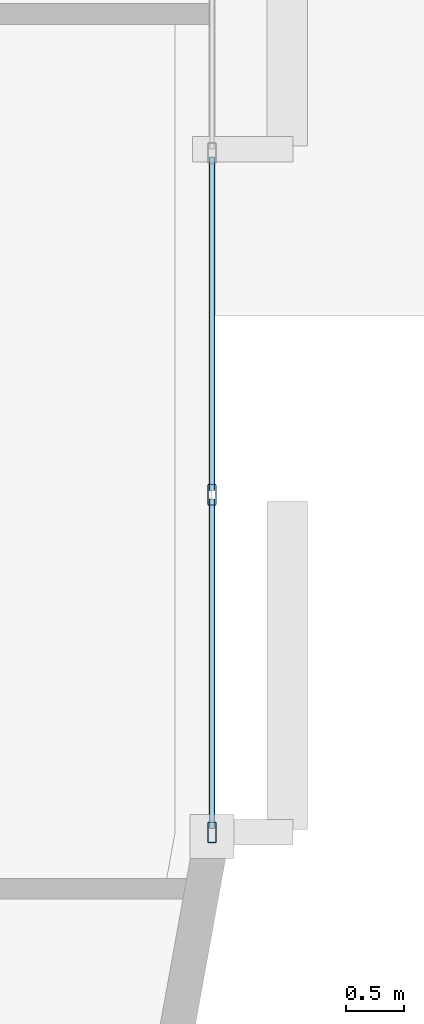
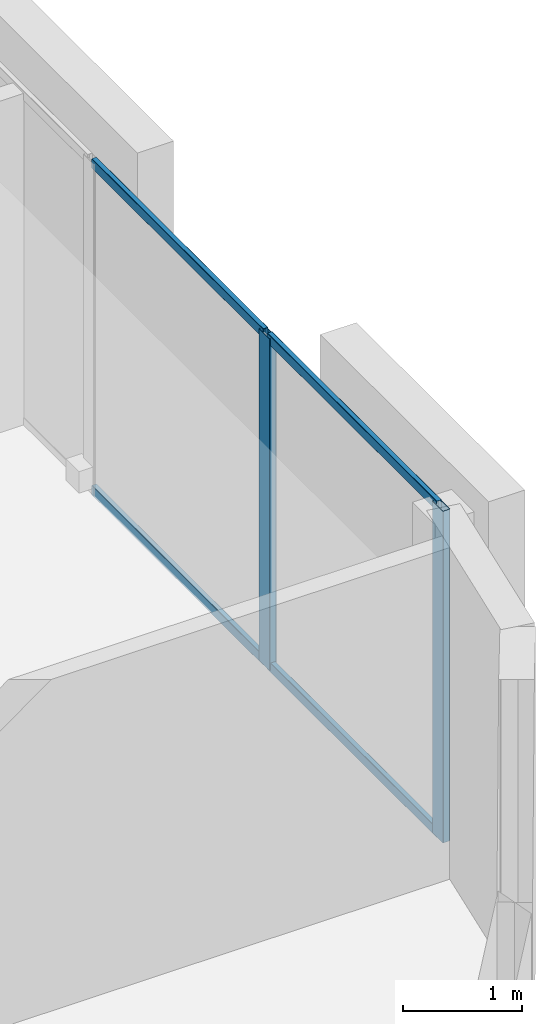
# One storey, part 4 of 13: 6 members, 1 element without a shape of its own.
"""IFC4 building model written with IfcOpenShell, lengths in metres."""

from ifc_helpers import new_model, si_unit, direction, frame, origin, origin_2d, place, context, subcontext, project, spatial, hollow_rectangle, extrude, material, layer, layer_set, material_profile, profile_set, type_object, element, aggregate, save


model = new_model("IFC4")

# Units and contexts
model_context = context("Model", 3, precision=1e-05, world=origin(), true_north=direction((0.0, 1.0)))
body_context = subcontext(model_context, "Body", "Model", "MODEL_VIEW")
ifc_project = project(units=[si_unit("LENGTHUNIT", "METRE"), si_unit("AREAUNIT", "SQUARE_METRE"), si_unit("VOLUMEUNIT", "CUBIC_METRE"), si_unit("PLANEANGLEUNIT", "RADIAN"), si_unit("MASSUNIT", "GRAM", prefix="KILO")], contexts=[model_context])

# Site, building, storey
site_placement = place(None, origin())
site = spatial("IfcSite", under=ifc_project, at=site_placement, CompositionType="ELEMENT")
building_placement = place(site_placement, origin())
building = spatial("IfcBuilding", under=site, at=building_placement, Name="An Khanh Terracotta Commons", CompositionType="ELEMENT")
storey_placement = place(building_placement, frame((0.0, 0.0, 233.699951171875)))
storey = spatial("IfcBuildingStorey", under=building, at=storey_placement, Name="L61", CompositionType="ELEMENT", Elevation=233.699951171875)

# Curtain wall, members
ifc_material = material(Name="Anodised Aluminium 6063-T6", Category="aluminium")
ifc_layer = layer(ifc_material, 0.2099609375, Name="Anodised Aluminium 6063-T6")
ifc_layer_set = layer_set([ifc_layer], Name="Anodised Aluminium 6063-T6")
curtain_wall_type = type_object("IfcCurtainWallType", Name="CW-SYS-03", PredefinedType="USERDEFINED", material=ifc_layer_set)
curtain_wall_placement = place(storey_placement, origin())
curtain_wall = element("IfcCurtainWall", 1, at=curtain_wall_placement, inside=storey, type_object=curtain_wall_type, Name="L61 CW-03 Unitised Curtain Wall CW-L61-12", ObjectType="UNITISED CURTAIN WALL", PredefinedType="USERDEFINED")
ifc_material_profile_1 = material_profile(ifc_material, hollow_rectangle(XDim=0.070068359375, YDim=0.179931640625, WallThickness=0.00390625, InnerFilletRadius=0.00390625, OuterFilletRadius=0.008056640625, at=origin_2d()), Name="RHS180x70x4")
ifc_profile_set_1 = profile_set([ifc_material_profile_1], Name="Anodised Aluminium 6063-T6")
member_type_1 = type_object("IfcMemberType", Name="CWM-RHS180x70x4", PredefinedType="MULLION", material=ifc_profile_set_1)
member_1_placement = place(storey_placement, frame((68.60009765625, 18.135986328125, 0.0), z_axis=(0.0, 0.0, 1.0), x_axis=(-1.0, 0.0, 0.0)))
member_1 = element("IfcMember", 2, at=member_1_placement, type_object=member_type_1, Name="CW-03 mullion 1", PredefinedType="MULLION", context=body_context, shape_type="SweptSolid", body=[
    extrude(hollow_rectangle(XDim=0.070068359375, YDim=0.179931640625, WallThickness=0.00390625, InnerFilletRadius=0.00390625, OuterFilletRadius=0.008056640625, at=origin_2d()), origin(), (0.0, 0.0, 1.0), 3.400146484375),
])
member_2_placement = place(storey_placement, frame((68.60009765625, 21.050537109375, 0.0), z_axis=(0.0, 0.0, 1.0), x_axis=(-1.0, 0.0, 0.0)))
member_2 = element("IfcMember", 3, at=member_2_placement, type_object=member_type_1, Name="CW-03 mullion 2", PredefinedType="MULLION", context=body_context, shape_type="SweptSolid", body=[
    extrude(hollow_rectangle(XDim=0.070068359375, YDim=0.179931640625, WallThickness=0.00390625, InnerFilletRadius=0.00390625, OuterFilletRadius=0.008056640625, at=origin_2d()), origin(), (0.0, 0.0, 1.0), 3.400146484375),
])
ifc_material_profile_2 = material_profile(ifc_material, hollow_rectangle(XDim=0.050048828125, YDim=0.10009765625, WallThickness=0.003173828125, InnerFilletRadius=0.003173828125, OuterFilletRadius=0.00634765625, at=origin_2d()), Name="RHS100x50x3.2")
ifc_profile_set_2 = profile_set([ifc_material_profile_2], Name="Anodised Aluminium 6063-T6")
member_type_2 = type_object("IfcMemberType", Name="CWT-RHS100x50x3.2", PredefinedType="USERDEFINED", material=ifc_profile_set_2)
member_3_placement = place(storey_placement, frame((68.60009765625, 18.1708984375, 0.025146484375), z_axis=(0.0, 1.0, 0.0), x_axis=(-1.0, 0.0, 0.0)))
member_3 = element("IfcMember", 4, at=member_3_placement, type_object=member_type_2, Name="CW-03 transom 1.1", ObjectType="TRANSOM", PredefinedType="USERDEFINED", context=body_context, shape_type="SweptSolid", body=[
    extrude(hollow_rectangle(XDim=0.050048828125, YDim=0.10009765625, WallThickness=0.003173828125, InnerFilletRadius=0.003173828125, OuterFilletRadius=0.00634765625, at=origin_2d()), origin(), (0.0, 0.0, 1.0), 2.844482421875),
])
member_4_placement = place(storey_placement, frame((68.60009765625, 18.1708984375, 3.375), z_axis=(0.0, 1.0, 0.0), x_axis=(-1.0, 0.0, 0.0)))
member_4 = element("IfcMember", 5, at=member_4_placement, type_object=member_type_2, Name="CW-03 transom 1.2", ObjectType="TRANSOM", PredefinedType="USERDEFINED", context=body_context, shape_type="SweptSolid", body=[
    extrude(hollow_rectangle(XDim=0.050048828125, YDim=0.10009765625, WallThickness=0.003173828125, InnerFilletRadius=0.003173828125, OuterFilletRadius=0.00634765625, at=origin_2d()), origin(), (0.0, 0.0, 1.0), 2.844482421875),
])
member_5_placement = place(storey_placement, frame((68.60009765625, 21.08544921875, 0.025146484375), z_axis=(0.0, 1.0, 0.0), x_axis=(-1.0, 0.0, 0.0)))
member_5 = element("IfcMember", 6, at=member_5_placement, type_object=member_type_2, Name="CW-03 transom 2.1", ObjectType="TRANSOM", PredefinedType="USERDEFINED", context=body_context, shape_type="SweptSolid", body=[
    extrude(hollow_rectangle(XDim=0.050048828125, YDim=0.10009765625, WallThickness=0.003173828125, InnerFilletRadius=0.003173828125, OuterFilletRadius=0.00634765625, at=origin_2d()), origin(), (0.0, 0.0, 1.0), 2.879638671875),
])
member_6_placement = place(storey_placement, frame((68.60009765625, 21.08544921875, 3.375), z_axis=(0.0, 1.0, 0.0), x_axis=(-1.0, 0.0, 0.0)))
member_6 = element("IfcMember", 7, at=member_6_placement, type_object=member_type_2, Name="CW-03 transom 2.2", ObjectType="TRANSOM", PredefinedType="USERDEFINED", context=body_context, shape_type="SweptSolid", body=[
    extrude(hollow_rectangle(XDim=0.050048828125, YDim=0.10009765625, WallThickness=0.003173828125, InnerFilletRadius=0.003173828125, OuterFilletRadius=0.00634765625, at=origin_2d()), origin(), (0.0, 0.0, 1.0), 2.879638671875),
])
aggregate(curtain_wall, [member_1, member_2, member_3, member_4, member_5, member_6])

save(model, "model.ifc")
